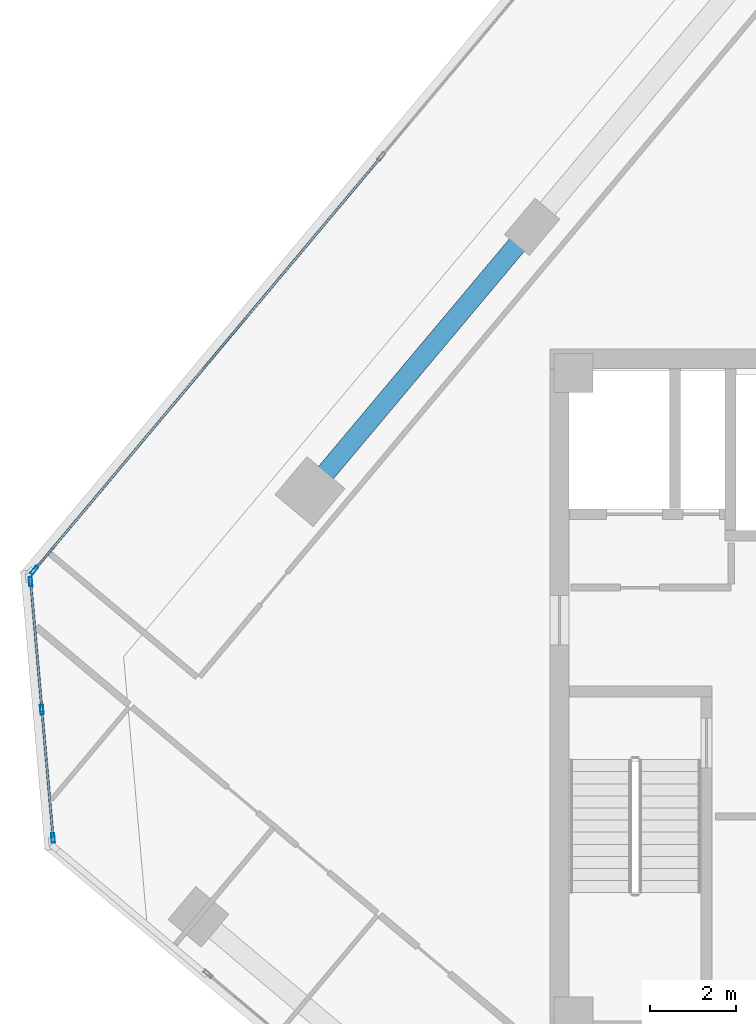
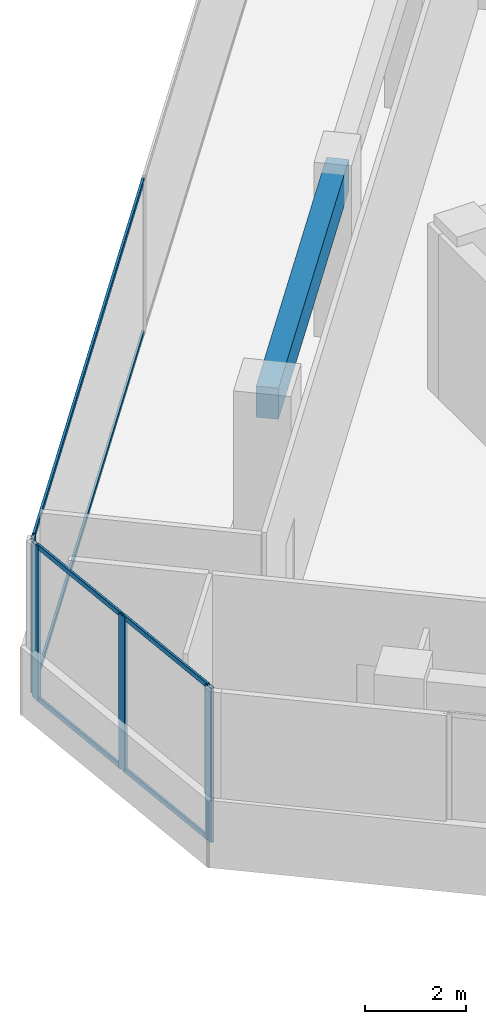
# One storey, part 4 of 17: 10 members, 1 beam, 2 elements without a shape of their own.
"""IFC4 building model written with IfcOpenShell, lengths in metres."""

from ifc_helpers import new_model, si_unit, direction, frame, origin, origin_2d, place, context, subcontext, project, spatial, rectangle, hollow_rectangle, extrude, source, transform, mapped, material, material_profile, profile_set, type_object, element, aggregate, save


model = new_model("IFC4")

# Units and contexts
model_context = context("Model", 3, precision=1e-05, world=origin(), true_north=direction((0.0, 1.0)))
body_context = subcontext(model_context, "Body", "Model", "MODEL_VIEW")
ifc_project = project(units=[si_unit("LENGTHUNIT", "METRE"), si_unit("AREAUNIT", "SQUARE_METRE"), si_unit("VOLUMEUNIT", "CUBIC_METRE"), si_unit("PLANEANGLEUNIT", "RADIAN"), si_unit("MASSUNIT", "GRAM", prefix="KILO")], contexts=[model_context])

# Site, building, storey
site_placement = place(None, origin())
site = spatial("IfcSite", under=ifc_project, at=site_placement, CompositionType="ELEMENT")
building_placement = place(site_placement, origin())
building = spatial("IfcBuilding", under=site, at=building_placement, Name="Torre Montelarca", CompositionType="ELEMENT")
storey_placement = place(building_placement, frame((0.0, 0.0, 220.60009765625)))
storey = spatial("IfcBuildingStorey", under=building, at=storey_placement, Name="L49", CompositionType="ELEMENT", Elevation=220.60009765625)

# Beam
ifc_material_1 = material(Name="Concrete C55/67", Category="concrete")
ifc_material_profile_1 = material_profile(ifc_material_1, rectangle(XDim=0.449951171875, YDim=0.75, at=origin_2d()), Name="RCB450X750", Category="concrete")
ifc_profile_set_1 = profile_set([ifc_material_profile_1], Name="Concrete C55/67")
beam_type = type_object("IfcBeamType", Name="BM-SP-RC750-EXT", PredefinedType="SPANDREL", material=ifc_profile_set_1)
shared_shape_1 = source(origin(), body_context, "Body", "SweptSolid", [
    extrude(rectangle(XDim=0.449951171875, YDim=0.75, at=origin_2d()), origin(), (0.0, 0.0, 1.0), 8.0),
])
beam_placement = place(storey_placement, frame((3.449951171875, 36.70263671875, 3.5849609375), z_axis=(0.642786195972, 0.766045629364, 0.0), x_axis=(-0.766045629364, 0.642786195972, 0.0)))
element("IfcBeam", 1, at=beam_placement, inside=storey, type_object=beam_type, Name="L49 Grid Girder Y 24.0-32.0 at X=4.7", PredefinedType="SPANDREL", context=body_context, shape_type="MappedRepresentation", body=[
    mapped(shared_shape_1, transform((0.0, 0.0, 0.0), scale=1.0)),
])

# Curtain wall, members
ifc_material_2 = material(Name="Insulated low-E laminated glass", Category="glass")
curtain_wall_type = type_object("IfcCurtainWallType", Name="CW-SYS-Z3", PredefinedType="USERDEFINED", material=ifc_material_2)
curtain_wall_1_placement = place(storey_placement, origin())
curtain_wall_1 = element("IfcCurtainWall", 2, at=curtain_wall_1_placement, inside=storey, type_object=curtain_wall_type, Name="L49 Curtain Wall Run CW-T3-L49-E11-B1", ObjectType="UNITISED GLAZING", PredefinedType="USERDEFINED")
ifc_material_3 = material(Name="Anodised aluminium AA 6063-T6", Category="aluminium")
ifc_material_profile_2 = material_profile(ifc_material_3, hollow_rectangle(XDim=0.054931640625, YDim=0.1201171875, WallThickness=0.00341796875, InnerFilletRadius=0.00341796875, OuterFilletRadius=0.007080078125, at=origin_2d()), Name="ALU55X120X3.5", Category="aluminium")
ifc_profile_set_2 = profile_set([ifc_material_profile_2], Name="Anodised aluminium AA 6063-T6")
member_type_1 = type_object("IfcMemberType", Name="CWT-ALU120", PredefinedType="USERDEFINED", material=ifc_profile_set_2)
shared_shape_2 = source(origin(), body_context, "Body", "SweptSolid", [
    extrude(hollow_rectangle(XDim=0.054931640625, YDim=0.1201171875, WallThickness=0.00341796875, InnerFilletRadius=0.00341796875, OuterFilletRadius=0.007080078125, at=origin_2d()), origin(), (0.0, 0.0, 1.0), 2.903564453125),
])
member_1_placement = place(storey_placement, frame((-3.012939453125, 34.582275390625, 0.02734375), z_axis=(0.087191982893, -0.996191526826, 0.0), x_axis=(0.996191526826, 0.087191982893, 0.0)))
member_1 = element("IfcMember", 3, at=member_1_placement, type_object=member_type_1, Name="CW transom 1.1", ObjectType="TRANSOM", PredefinedType="USERDEFINED", context=body_context, shape_type="MappedRepresentation", body=[
    mapped(shared_shape_2, transform((0.0, 0.0, 0.0), scale=1.0)),
])
member_2_placement = place(storey_placement, frame((-3.012939453125, 34.582275390625, 3.6923828125), z_axis=(0.087191982893, -0.996191526826, 0.0), x_axis=(0.996191526826, 0.087191982893, 0.0)))
member_2 = element("IfcMember", 4, at=member_2_placement, type_object=member_type_1, Name="CW transom 1.2", ObjectType="TRANSOM", PredefinedType="USERDEFINED", context=body_context, shape_type="MappedRepresentation", body=[
    mapped(shared_shape_2, transform((0.0, 0.0, 0.0), scale=1.0)),
])
member_3_placement = place(storey_placement, frame((-2.753173828125, 31.614990234375, 0.02734375), z_axis=(0.08710854021, -0.996198826652, 0.0), x_axis=(0.996198826652, 0.08710854021, 0.0)))
member_3 = element("IfcMember", 5, at=member_3_placement, type_object=member_type_1, Name="CW transom 2.1", ObjectType="TRANSOM", PredefinedType="USERDEFINED", context=body_context, shape_type="MappedRepresentation", body=[
    mapped(shared_shape_2, transform((0.0, 0.0, 0.0), scale=1.0)),
])
member_4_placement = place(storey_placement, frame((-2.753173828125, 31.614990234375, 3.6923828125), z_axis=(0.08710854021, -0.996198826652, 0.0), x_axis=(0.996198826652, 0.08710854021, 0.0)))
member_4 = element("IfcMember", 6, at=member_4_placement, type_object=member_type_1, Name="CW transom 2.2", ObjectType="TRANSOM", PredefinedType="USERDEFINED", context=body_context, shape_type="MappedRepresentation", body=[
    mapped(shared_shape_2, transform((0.0, 0.0, 0.0), scale=1.0)),
])

curtain_wall_2_placement = place(storey_placement, origin())
curtain_wall_2 = element("IfcCurtainWall", 7, at=curtain_wall_2_placement, inside=storey, type_object=curtain_wall_type, Name="L49 Curtain Wall Run CW-T3-L49-E10-B1", ObjectType="UNITISED GLAZING", PredefinedType="USERDEFINED")
shared_shape_3 = source(origin(), body_context, "Body", "SweptSolid", [
    extrude(hollow_rectangle(XDim=0.054931640625, YDim=0.1201171875, WallThickness=0.00341796875, InnerFilletRadius=0.00341796875, OuterFilletRadius=0.007080078125, at=origin_2d()), origin(), (0.0, 0.0, 1.0), 12.421875),
])
member_5_placement = place(storey_placement, frame((5.07568359375, 44.427490234375, 0.02734375), z_axis=(-0.642790525079, -0.766041996805, 0.0), x_axis=(0.766041996805, -0.642790525079, 0.0)))
member_5 = element("IfcMember", 8, at=member_5_placement, type_object=member_type_1, Name="CW transom 2.1", ObjectType="TRANSOM", PredefinedType="USERDEFINED", context=body_context, shape_type="MappedRepresentation", body=[
    mapped(shared_shape_3, transform((0.0, 0.0, 0.0), scale=1.0)),
])
member_6_placement = place(storey_placement, frame((5.07568359375, 44.427490234375, 3.6923828125), z_axis=(-0.642790525079, -0.766041996805, 0.0), x_axis=(0.766041996805, -0.642790525079, 0.0)))
member_6 = element("IfcMember", 9, at=member_6_placement, type_object=member_type_1, Name="CW transom 2.2", ObjectType="TRANSOM", PredefinedType="USERDEFINED", context=body_context, shape_type="MappedRepresentation", body=[
    mapped(shared_shape_3, transform((0.0, 0.0, 0.0), scale=1.0)),
])
ifc_material_profile_3 = material_profile(ifc_material_3, hollow_rectangle(XDim=0.074951171875, YDim=0.219970703125, WallThickness=0.0048828125, InnerFilletRadius=0.0048828125, OuterFilletRadius=0.010009765625, at=origin_2d()), Name="ALU75X220X5", Category="aluminium")
ifc_profile_set_3 = profile_set([ifc_material_profile_3], Name="Anodised aluminium AA 6063-T6")
member_type_2 = type_object("IfcMemberType", Name="CWM-ALU220", PredefinedType="MULLION", material=ifc_profile_set_3)
shared_shape_4 = source(origin(), body_context, "Body", "SweptSolid", [
    extrude(hollow_rectangle(XDim=0.074951171875, YDim=0.219970703125, WallThickness=0.0048828125, InnerFilletRadius=0.0048828125, OuterFilletRadius=0.010009765625, at=origin_2d()), origin(), (0.0, 0.0, 1.0), 3.719970703125),
])
member_7_placement = place(storey_placement, frame((-2.93310546875, 34.883056640625, 0.0), z_axis=(0.0, 0.0, 1.0), x_axis=(0.766043772472, -0.642788408931, 0.0)))
member_7 = element("IfcMember", 10, at=member_7_placement, type_object=member_type_2, Name="CW mullion 3", PredefinedType="MULLION", context=body_context, shape_type="MappedRepresentation", body=[
    mapped(shared_shape_4, transform((0.0, 0.0, 0.0), scale=1.0)),
])
aggregate(curtain_wall_2, [member_7, member_5, member_6])

# Member
member_8_placement = place(storey_placement, frame((-3.01611328125, 34.61962890625, 0.0), z_axis=(0.0, 0.0, 1.0), x_axis=(0.996193789473, 0.087166127681, 0.0)))
member_8 = element("IfcMember", 11, at=member_8_placement, type_object=member_type_2, Name="CW mullion 1", PredefinedType="MULLION", context=body_context, shape_type="MappedRepresentation", body=[
    mapped(shared_shape_4, transform((0.0, 0.0, 0.0), scale=1.0)),
])

member_9_placement = place(storey_placement, frame((-2.756591796875, 31.65234375, 0.0), z_axis=(0.0, 0.0, 1.0), x_axis=(0.996193789473, 0.087166127681, 0.0)))
member_9 = element("IfcMember", 12, at=member_9_placement, type_object=member_type_2, Name="CW mullion 2", PredefinedType="MULLION", context=body_context, shape_type="MappedRepresentation", body=[
    mapped(shared_shape_4, transform((0.0, 0.0, 0.0), scale=1.0)),
])

member_10_placement = place(storey_placement, frame((-2.496826171875, 28.68505859375, 0.0), z_axis=(0.0, 0.0, 1.0), x_axis=(0.996193789473, 0.087166127681, 0.0)))
member_10 = element("IfcMember", 13, at=member_10_placement, type_object=member_type_2, Name="CW mullion 3", PredefinedType="MULLION", context=body_context, shape_type="MappedRepresentation", body=[
    mapped(shared_shape_4, transform((0.0, 0.0, 0.0), scale=1.0)),
])

aggregate(curtain_wall_1, [member_8, member_9, member_10, member_1, member_2, member_3, member_4])

save(model, "model.ifc")
